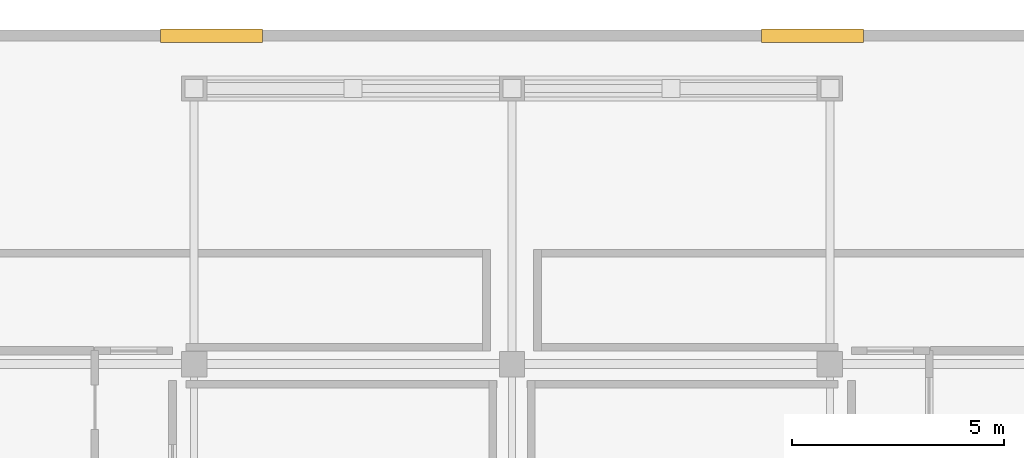
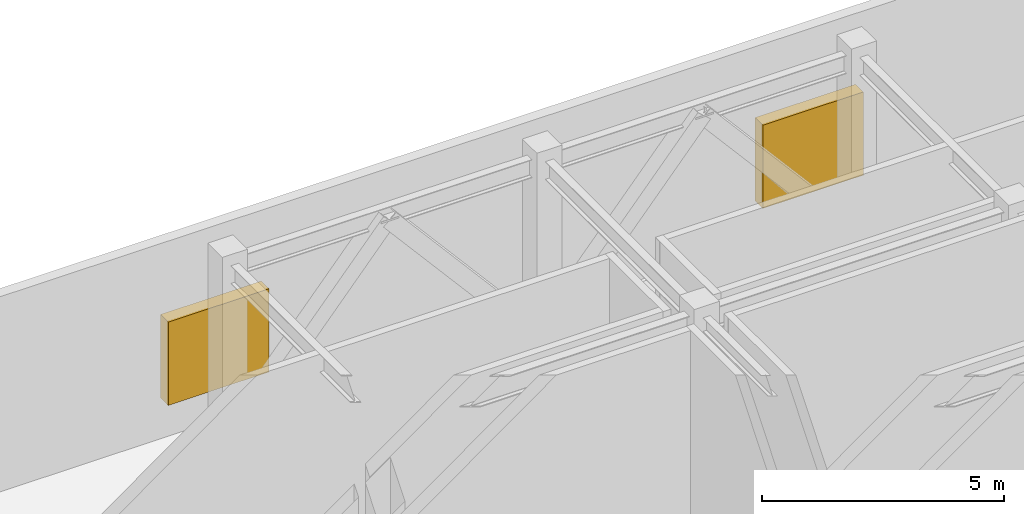
# One storey, part 7 of 7: 2 shading devices.
"""IFC4 building model written with IfcOpenShell, lengths in metres."""

from ifc_helpers import new_model, si_unit, direction, frame, origin, origin_2d, place, context, subcontext, project, spatial, rectangle, extrude, material, type_object, element, save


model = new_model("IFC4")

# Units and contexts
model_context = context("Model", 3, precision=1e-05, world=origin(), true_north=direction((0.0, 1.0)))
body_context = subcontext(model_context, "Body", "Model", "MODEL_VIEW")
ifc_project = project(units=[si_unit("LENGTHUNIT", "METRE"), si_unit("AREAUNIT", "SQUARE_METRE"), si_unit("VOLUMEUNIT", "CUBIC_METRE"), si_unit("PLANEANGLEUNIT", "RADIAN"), si_unit("MASSUNIT", "GRAM", prefix="KILO")], contexts=[model_context])

# Site, building, storey
site_placement = place(None, origin())
site = spatial("IfcSite", under=ifc_project, at=site_placement, CompositionType="ELEMENT")
building_placement = place(site_placement, origin())
building = spatial("IfcBuilding", under=site, at=building_placement, Name="Ventersveld Concourse Tower", CompositionType="ELEMENT")
storey_placement = place(building_placement, frame((0.0, 0.0, 246.5)))
storey = spatial("IfcBuildingStorey", under=building, at=storey_placement, Name="L61", CompositionType="ELEMENT", Elevation=246.5)

# Shading devices
ifc_material = material(Name="Anodised aluminium EN AW-6063-T6", Category="aluminium")
shading_device_type = type_object("IfcShadingDeviceType", Name="SHD-LOUVRE-300", PredefinedType="JALOUSIE", material=ifc_material)
for number, where, z_axis, x_axis, name in (
    (1, (35.840087890625, 36.24755859375, 0.800048828125), (0.0, 0.0, 1.0), (-1.0, 0.0, 0.0), "L61 Mechanical Plant Louvre N1"),
    (2, (21.659912109375, 36.24755859375, 0.800048828125), (0.0, 0.0, 1.0), (-1.0, 0.0, 0.0), "L61 Mechanical Plant Louvre N2"),
):
    element("IfcShadingDevice", number, at=place(storey_placement, frame(where, z_axis=z_axis, x_axis=x_axis)), inside=storey, type_object=shading_device_type, Name=name, PredefinedType="JALOUSIE", context=body_context, shape_type="SweptSolid", body=[
        extrude(rectangle(XDim=2.39990234375, YDim=0.320068359375, at=origin_2d()), origin(), (0.0, 0.0, 1.0), 2.10009765625),
    ])

save(model, "model.ifc")
